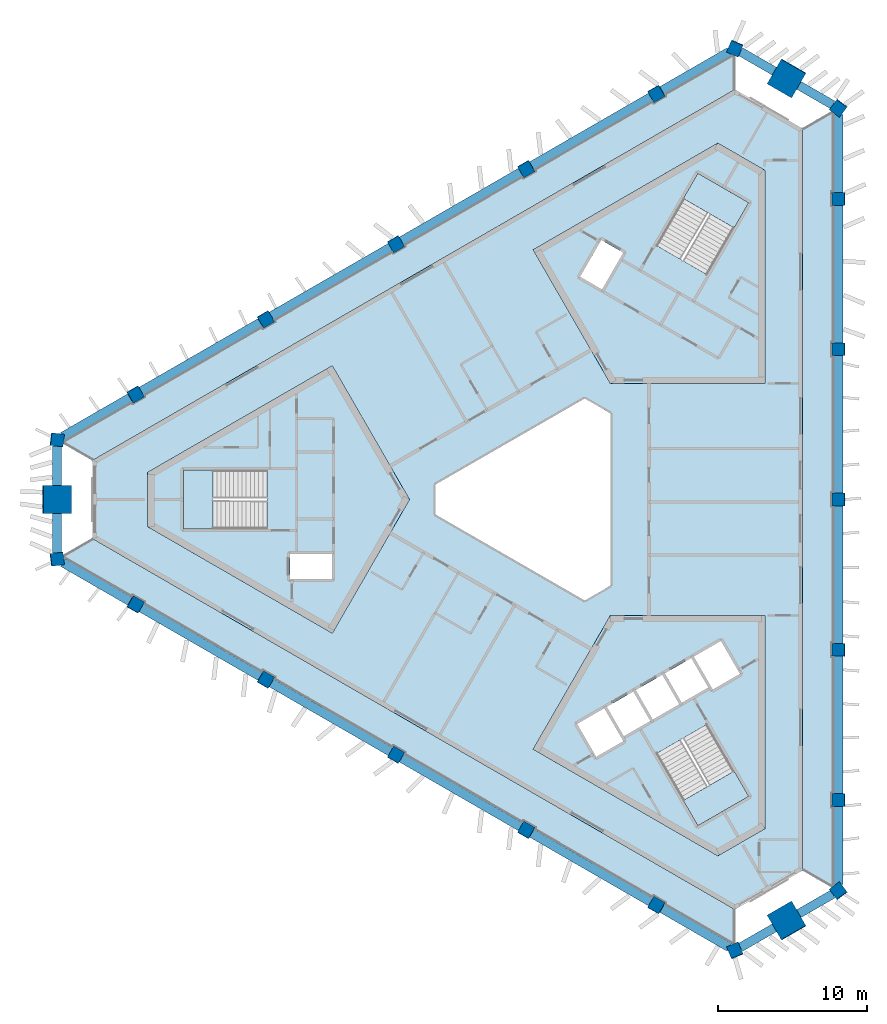
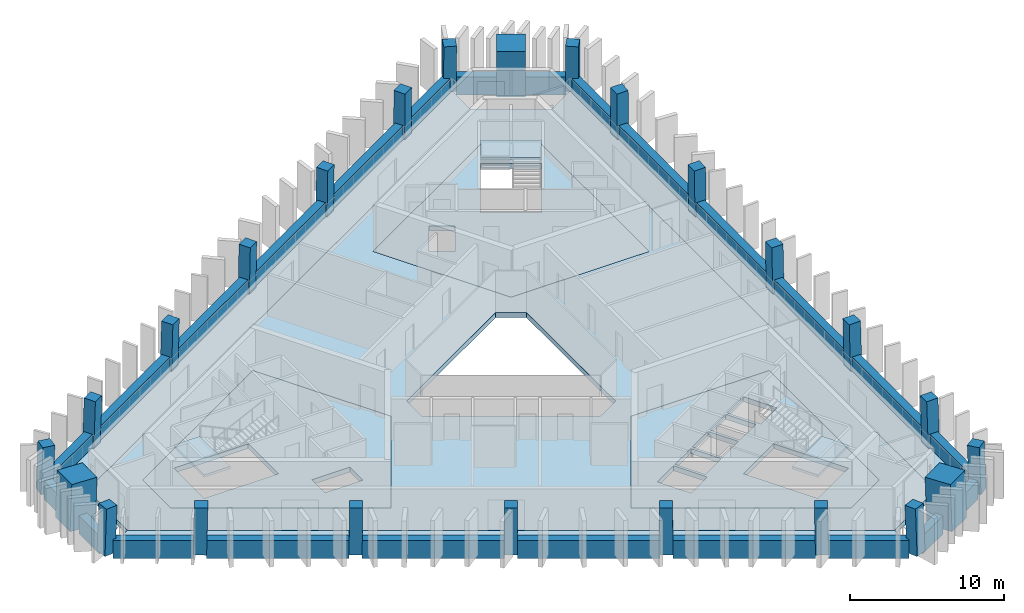
# One storey, part 1 of 9: 24 beams, 24 columns, 10 slabs, 3 elements without a shape of their own.
"""IFC4 building model written with IfcOpenShell, lengths in metres."""

from ifc_helpers import new_model, si_unit, direction, frame, origin, origin_2d, place, context, subcontext, project, spatial, polyline, rectangle, outline, extrude, material, layer, layer_set, material_profile, profile_set, type_object, element, aggregate, save


model = new_model("IFC4")

# Units and contexts
model_context = context("Model", 3, precision=1e-05, world=origin(), true_north=direction((0.0, 1.0)))
body_context = subcontext(model_context, "Body", "Model", "MODEL_VIEW")
ifc_project = project(units=[si_unit("LENGTHUNIT", "METRE"), si_unit("AREAUNIT", "SQUARE_METRE"), si_unit("VOLUMEUNIT", "CUBIC_METRE"), si_unit("PLANEANGLEUNIT", "RADIAN"), si_unit("MASSUNIT", "GRAM", prefix="KILO")], contexts=[model_context])

# Site, building, storey
site_placement = place(None, origin())
site = spatial("IfcSite", under=ifc_project, at=site_placement, CompositionType="ELEMENT")
building_placement = place(site_placement, origin())
building = spatial("IfcBuilding", under=site, at=building_placement, Name="Jabali Bay Hotel Tower and Convention Centre", CompositionType="ELEMENT")
storey_placement = place(building_placement, frame((0.0, 0.0, 239.10009765625)))
storey = spatial("IfcBuildingStorey", under=building, at=storey_placement, Name="L59", CompositionType="ELEMENT", Elevation=239.10009765625)

# Columns
ifc_material_1 = material(Name="Concrete C60", Category="concrete")
ifc_material_profile_1 = material_profile(ifc_material_1, rectangle(XDim=0.85009765625, YDim=0.85009765625, at=origin_2d()), Name="Frame column 850")
ifc_profile_set_1 = profile_set([ifc_material_profile_1], Name="Concrete C60")
column_type_1 = type_object("IfcColumnType", Name="Frame column 850", PredefinedType="COLUMN", material=ifc_profile_set_1)
column_1_placement = place(storey_placement, frame((82.596923828125, 107.281982421875, 0.0), z_axis=(-0.00837646992, -0.028097450282, 0.999570091609), x_axis=(0.866174253108, 0.499288249334, 0.021293363534)))
element("IfcColumn", 1, at=column_1_placement, inside=storey, type_object=column_type_1, Name="FC5 F1.1 L59", PredefinedType="COLUMN", context=body_context, shape_type="SweptSolid", body=[
    extrude(rectangle(XDim=0.85009765625, YDim=0.85009765625, at=origin_2d()), origin(), (0.0, 0.0, 1.0), 3.70166015625),
])
column_2_placement = place(storey_placement, frame((73.84130859375, 102.22705078125, 0.0), z_axis=(0.000857578916, -0.022824792675, 0.999739112668), x_axis=(0.866060219769, 0.499825848733, 0.01066848966)))
element("IfcColumn", 2, at=column_2_placement, inside=storey, type_object=column_type_1, Name="FC5 F1.2 L59", PredefinedType="COLUMN", context=body_context, shape_type="SweptSolid", body=[
    extrude(rectangle(XDim=0.85009765625, YDim=0.85009765625, at=origin_2d()), origin(), (0.0, 0.0, 1.0), 3.700927734375),
])
column_3_placement = place(storey_placement, frame((65.085693359375, 97.171875, 0.0), z_axis=(0.010093620709, -0.017482414954, 0.999796221231), x_axis=(-0.499902890187, 0.86584616669, 0.020187025825)))
element("IfcColumn", 3, at=column_3_placement, inside=storey, type_object=column_type_1, Name="FC5 F1.3 L59", PredefinedType="COLUMN", context=body_context, shape_type="SweptSolid", body=[
    extrude(rectangle(XDim=0.85009765625, YDim=0.85009765625, at=origin_2d()), origin(), (0.0, 0.0, 1.0), 3.70068359375),
])
column_4_placement = place(storey_placement, frame((56.330078125, 92.116943359375, 0.0), z_axis=(0.019328516974, -0.012138044789, 0.999739504221), x_axis=(-0.500200160538, 0.865674608258, 0.020180981521)))
element("IfcColumn", 4, at=column_4_placement, inside=storey, type_object=column_type_1, Name="FC5 F1.4 L59", PredefinedType="COLUMN", context=body_context, shape_type="SweptSolid", body=[
    extrude(rectangle(XDim=0.85009765625, YDim=0.85009765625, at=origin_2d()), origin(), (0.0, 0.0, 1.0), 3.700927734375),
])
for number, where, z_axis, x_axis, name in (
    (5, (47.57470703125, 87.06201171875, 0.0), (0.028559101991, -0.006859460986, 0.999568569678), (-0.498513358127, 0.866646856607, 0.020190534949), "FC5 F1.5 L59"),
    (6, (47.57470703125, 72.93798828125, 0.0), (0.028559101991, 0.006859460986, 0.999568569678), (-0.866411455062, 0.498874907895, 0.021331123037), "FC5 F2.1 L59"),
):
    element("IfcColumn", number, at=place(storey_placement, frame(where, z_axis=z_axis, x_axis=x_axis)), inside=storey, type_object=column_type_1, Name=name, PredefinedType="COLUMN", context=body_context, shape_type="SweptSolid", body=[
        extrude(rectangle(XDim=0.85009765625, YDim=0.85009765625, at=origin_2d()), origin(), (0.0, 0.0, 1.0), 3.70166015625),
    ])
column_5_placement = place(storey_placement, frame((56.330078125, 67.883056640625, 0.0), z_axis=(0.019328516974, 0.012138044789, 0.999739504221), x_axis=(-0.865694061334, 0.500459928951, 0.010660754407)))
element("IfcColumn", 7, at=column_5_placement, inside=storey, type_object=column_type_1, Name="FC5 F2.2 L59", PredefinedType="COLUMN", context=body_context, shape_type="SweptSolid", body=[
    extrude(rectangle(XDim=0.85009765625, YDim=0.85009765625, at=origin_2d()), origin(), (0.0, 0.0, 1.0), 3.700927734375),
])
column_6_placement = place(storey_placement, frame((65.085693359375, 62.828125, 0.0), z_axis=(0.010093620709, 0.017482414954, 0.999796221231), x_axis=(-0.866022643586, 0.500004780773, 1.3036e-08)))
element("IfcColumn", 8, at=column_6_placement, inside=storey, type_object=column_type_1, Name="FC5 F2.3 L59", PredefinedType="COLUMN", context=body_context, shape_type="SweptSolid", body=[
    extrude(rectangle(XDim=0.85009765625, YDim=0.85009765625, at=origin_2d()), origin(), (0.0, 0.0, 1.0), 3.70068359375),
])
column_7_placement = place(storey_placement, frame((73.84130859375, 57.77294921875, 0.0), z_axis=(0.000857578916, 0.022824792675, 0.999739112668), x_axis=(-0.499938956565, -0.865825126557, 0.020196285069)))
element("IfcColumn", 9, at=column_7_placement, inside=storey, type_object=column_type_1, Name="FC5 F2.4 L59", PredefinedType="COLUMN", context=body_context, shape_type="SweptSolid", body=[
    extrude(rectangle(XDim=0.85009765625, YDim=0.85009765625, at=origin_2d()), origin(), (0.0, 0.0, 1.0), 3.700927734375),
])
for number, where, z_axis, x_axis, name in (
    (10, (82.596923828125, 52.718017578125, 0.0), (-0.00837646992, 0.028097450282, 0.999570091609), (-0.499671890349, -0.865980240747, 0.02015501501), "FC5 F2.5 L59"),
    (11, (94.82861328125, 59.77978515625, 0.0), (-0.020182631348, 0.021369844956, 0.999567902205), (-0.001315292007, -0.999771248084, 0.021347634776), "FC5 F0.1 L59"),
):
    element("IfcColumn", number, at=place(storey_placement, frame(where, z_axis=z_axis, x_axis=x_axis)), inside=storey, type_object=column_type_1, Name=name, PredefinedType="COLUMN", context=body_context, shape_type="SweptSolid", body=[
        extrude(rectangle(XDim=0.85009765625, YDim=0.85009765625, at=origin_2d()), origin(), (0.0, 0.0, 1.0), 3.70166015625),
    ])
column_8_placement = place(storey_placement, frame((94.82861328125, 69.889892578125, 0.0), z_axis=(-0.020186088539, 0.010686752756, 0.999739123544), x_axis=(-0.001012906877, -0.999942577175, 0.010668475618)))
element("IfcColumn", 12, at=column_8_placement, inside=storey, type_object=column_type_1, Name="FC5 F0.2 L59", PredefinedType="COLUMN", context=body_context, shape_type="SweptSolid", body=[
    extrude(rectangle(XDim=0.85009765625, YDim=0.85009765625, at=origin_2d()), origin(), (0.0, 0.0, 1.0), 3.700927734375),
])
column_9_placement = place(storey_placement, frame((94.82861328125, 80.0, 0.0), z_axis=(-0.020187241331, 0.0, 0.99979621688), x_axis=(0.0, -1.0, 0.0)))
element("IfcColumn", 13, at=column_9_placement, inside=storey, type_object=column_type_1, Name="FC5 F0.3 L59", PredefinedType="COLUMN", context=body_context, shape_type="SweptSolid", body=[
    extrude(rectangle(XDim=0.85009765625, YDim=0.85009765625, at=origin_2d()), origin(), (0.0, 0.0, 1.0), 3.70068359375),
])
column_10_placement = place(storey_placement, frame((94.82861328125, 90.110107421875, 0.0), z_axis=(-0.020186088539, -0.010686752756, 0.999739123544), x_axis=(0.999795727061, 0.00079728784, 0.020195754082)))
element("IfcColumn", 14, at=column_10_placement, inside=storey, type_object=column_type_1, Name="FC5 F0.4 L59", PredefinedType="COLUMN", context=body_context, shape_type="SweptSolid", body=[
    extrude(rectangle(XDim=0.85009765625, YDim=0.85009765625, at=origin_2d()), origin(), (0.0, 0.0, 1.0), 3.700927734375),
])
column_11_placement = place(storey_placement, frame((94.82861328125, 100.22021484375, 0.0), z_axis=(-0.020182631348, -0.021369844956, 0.999567902205), x_axis=(0.999795444778, 0.000883872229, 0.020206122118)))
element("IfcColumn", 15, at=column_11_placement, inside=storey, type_object=column_type_1, Name="FC5 F0.5 L59", PredefinedType="COLUMN", context=body_context, shape_type="SweptSolid", body=[
    extrude(rectangle(XDim=0.85009765625, YDim=0.85009765625, at=origin_2d()), origin(), (0.0, 0.0, 1.0), 3.70166015625),
])
for number, where, z_axis, x_axis, name in (
    (16, (94.82861328125, 53.68359375, 0.0), (-0.020178741915, 0.029015184452, 0.999375273581), (-0.798779038798, -0.601623017432, 0.001338683062), "FC5 V0 L59"),
    (17, (94.82861328125, 106.31640625, 0.0), (-0.020178741915, -0.029015184452, 0.999375273581), (0.601286009775, 0.79825300749, 0.035316716746), "FC5 V1 L59"),
    (18, (87.87646484375, 110.330322265625, 0.0), (-0.015035141917, -0.031982648376, 0.99937533225), (0.920441673063, -0.39087764696, 0.001338504961), "FC5 V2 L59"),
    (19, (42.294921875, 84.013671875, 0.0), (0.03521388716, -0.002967462401, 0.999375393092), (-0.991950100653, 0.121605781453, 0.035313336451), "FC5 V3 L59"),
    (20, (42.294921875, 75.986328125, 0.0), (0.03521388716, 0.002967462401, 0.999375393092), (-0.12163461664, 0.992574041613, 0.001338637639), "FC5 V4 L59"),
    (21, (87.87646484375, 49.669677734375, 0.0), (-0.015035141917, 0.031982648376, 0.99937533225), (0.390590669367, -0.919886827447, 0.035315063275), "FC5 V5 L59"),
):
    element("IfcColumn", number, at=place(storey_placement, frame(where, z_axis=z_axis, x_axis=x_axis)), inside=storey, type_object=column_type_1, Name=name, PredefinedType="COLUMN", context=body_context, shape_type="SweptSolid", body=[
        extrude(rectangle(XDim=0.85009765625, YDim=0.85009765625, at=origin_2d()), origin(), (0.0, 0.0, 1.0), 3.7021484375),
    ])
ifc_material_2 = material(Name="Concrete C70", Category="concrete")
ifc_material_profile_2 = material_profile(ifc_material_2, rectangle(XDim=1.89990234375, YDim=1.89990234375, at=origin_2d()), Name="Mega column 1900")
ifc_profile_set_2 = profile_set([ifc_material_profile_2], Name="Concrete C70")
column_type_2 = type_object("IfcColumnType", Name="Mega column 1900", PredefinedType="COLUMN", material=ifc_profile_set_2)
for number, where, z_axis, x_axis, name in (
    (22, (91.3525390625, 108.3232421875, 0.0), (-0.017607037296, -0.030466109479, 0.999380712447), (0.500064653071, 0.865272876704, 0.035187946645), "MC5 M1 L59"),
    (23, (42.294921875, 80.0, 0.0), (0.035214042205, 0.0, 0.999379793288), (0.0, 1.0, 0.0), "MC5 M0 L59"),
    (24, (91.3525390625, 51.6767578125, 0.0), (-0.017607037296, 0.030466109479, 0.999380712447), (-0.865809063816, -0.500374524745, 1.32655e-07), "MC5 M2 L59"),
):
    element("IfcColumn", number, at=place(storey_placement, frame(where, z_axis=z_axis, x_axis=x_axis)), inside=storey, type_object=column_type_2, Name=name, PredefinedType="COLUMN", context=body_context, shape_type="SweptSolid", body=[
        extrude(rectangle(XDim=1.89990234375, YDim=1.89990234375, at=origin_2d()), origin(), (0.0, 0.0, 1.0), 3.7021484375),
    ])

# Beams
ifc_material_profile_3 = material_profile(ifc_material_1, rectangle(XDim=0.60009765625, YDim=1.449951171875, at=origin_2d()), Name="Spandrel 600x1450")
ifc_profile_set_3 = profile_set([ifc_material_profile_3], Name="Concrete C60")
beam_type = type_object("IfcBeamType", Name="Spandrel 600x1450", PredefinedType="SPANDREL", material=ifc_profile_set_3)
beam_1_placement = place(storey_placement, frame((90.523193359375, 108.786865234375, 0.375), z_axis=(-0.866036082975, 0.499981502643, 0.0), x_axis=(-0.499981502643, -0.866036082975, 0.0)))
element("IfcBeam", 25, at=beam_1_placement, inside=storey, type_object=beam_type, Name="Spandrel M1-V2 L59", PredefinedType="SPANDREL", context=body_context, shape_type="SweptSolid", body=[
    extrude(rectangle(XDim=0.60009765625, YDim=1.449951171875, at=origin_2d()), origin(), (0.0, 0.0, 1.0), 2.6376953125),
])
beam_2_placement = place(storey_placement, frame((87.502685546875, 110.105712890625, 0.375), z_axis=(-0.866008016721, -0.500030114069, 0.0), x_axis=(0.500030114069, -0.866008016721, 0.0)))
element("IfcBeam", 26, at=beam_2_placement, inside=storey, type_object=beam_type, Name="Spandrel V2-F1.1 L59", PredefinedType="SPANDREL", context=body_context, shape_type="SweptSolid", body=[
    extrude(rectangle(XDim=0.60009765625, YDim=1.449951171875, at=origin_2d()), origin(), (0.0, 0.0, 1.0), 5.243408203125),
])
for number, where, z_axis, x_axis, name in (
    (27, (82.2255859375, 107.05908203125, 0.375), (-0.866015597151, -0.500016985203, 0.0), (0.500016985203, -0.866015597151, 0.0), "Spandrel F1.1-F1.2 L59"),
    (28, (73.4736328125, 102.005859375, 0.375), (-0.866033612522, -0.49998578178, 0.0), (0.49998578178, -0.866033612522, 0.0), "Spandrel F1.2-F1.3 L59"),
):
    element("IfcBeam", number, at=place(storey_placement, frame(where, z_axis=z_axis, x_axis=x_axis)), inside=storey, type_object=beam_type, Name=name, PredefinedType="SPANDREL", context=body_context, shape_type="SweptSolid", body=[
        extrude(rectangle(XDim=0.60009765625, YDim=1.449951171875, at=origin_2d()), origin(), (0.0, 0.0, 1.0), 9.256103515625),
    ])
beam_3_placement = place(storey_placement, frame((64.721435546875, 96.952880859375, 0.375), z_axis=(-0.86602701864, -0.499997202977, 0.0), x_axis=(0.499997202977, -0.86602701864, 0.0)))
element("IfcBeam", 29, at=beam_3_placement, inside=storey, type_object=beam_type, Name="Spandrel F1.3-F1.4 L59", PredefinedType="SPANDREL", context=body_context, shape_type="SweptSolid", body=[
    extrude(rectangle(XDim=0.60009765625, YDim=1.449951171875, at=origin_2d()), origin(), (0.0, 0.0, 1.0), 9.255859375),
])
beam_4_placement = place(storey_placement, frame((55.969482421875, 91.89990234375, 0.375), z_axis=(-0.866033612522, -0.49998578178, 0.0), x_axis=(0.49998578178, -0.866033612522, 0.0)))
element("IfcBeam", 30, at=beam_4_placement, inside=storey, type_object=beam_type, Name="Spandrel F1.4-F1.5 L59", PredefinedType="SPANDREL", context=body_context, shape_type="SweptSolid", body=[
    extrude(rectangle(XDim=0.60009765625, YDim=1.449951171875, at=origin_2d()), origin(), (0.0, 0.0, 1.0), 9.256103515625),
])
beam_5_placement = place(storey_placement, frame((47.21728515625, 86.846923828125, 0.375), z_axis=(-0.866019657937, -0.500009951967, 0.0), x_axis=(0.500009951967, -0.866019657937, 0.0)))
element("IfcBeam", 31, at=beam_5_placement, inside=storey, type_object=beam_type, Name="Spandrel F1.5-V3 L59", PredefinedType="SPANDREL", context=body_context, shape_type="SweptSolid", body=[
    extrude(rectangle(XDim=0.60009765625, YDim=1.449951171875, at=origin_2d()), origin(), (0.0, 0.0, 1.0), 5.24365234375),
])
for number, where, z_axis, x_axis, name in (
    (32, (42.308349609375, 83.587646484375, 0.375), (0.0, -1.0, 0.0), (1.0, 0.0, 0.0), "Spandrel V3-M0 L59"),
    (33, (42.308349609375, 79.050048828125, 0.375), (0.0, -1.0, 0.0), (1.0, 0.0, 0.0), "Spandrel M0-V4 L59"),
):
    element("IfcBeam", number, at=place(storey_placement, frame(where, z_axis=z_axis, x_axis=x_axis)), inside=storey, type_object=beam_type, Name=name, PredefinedType="SPANDREL", context=body_context, shape_type="SweptSolid", body=[
        extrude(rectangle(XDim=0.60009765625, YDim=1.449951171875, at=origin_2d()), origin(), (0.0, 0.0, 1.0), 2.6376953125),
    ])
beam_6_placement = place(storey_placement, frame((42.67626953125, 75.77490234375, 0.375), z_axis=(0.866019657937, -0.500009951967, 0.0), x_axis=(0.500009951967, 0.866019657937, 0.0)))
element("IfcBeam", 34, at=beam_6_placement, inside=storey, type_object=beam_type, Name="Spandrel V4-F2.1 L59", PredefinedType="SPANDREL", context=body_context, shape_type="SweptSolid", body=[
    extrude(rectangle(XDim=0.60009765625, YDim=1.449951171875, at=origin_2d()), origin(), (0.0, 0.0, 1.0), 5.24365234375),
])
beam_7_placement = place(storey_placement, frame((47.953369140625, 72.72802734375, 0.375), z_axis=(0.866033612522, -0.49998578178, 0.0), x_axis=(0.49998578178, 0.866033612522, 0.0)))
element("IfcBeam", 35, at=beam_7_placement, inside=storey, type_object=beam_type, Name="Spandrel F2.1-F2.2 L59", PredefinedType="SPANDREL", context=body_context, shape_type="SweptSolid", body=[
    extrude(rectangle(XDim=0.60009765625, YDim=1.449951171875, at=origin_2d()), origin(), (0.0, 0.0, 1.0), 9.256103515625),
])
beam_8_placement = place(storey_placement, frame((56.70556640625, 67.675048828125, 0.375), z_axis=(0.86602701864, -0.499997202977, 0.0), x_axis=(0.499997202977, 0.86602701864, 0.0)))
element("IfcBeam", 36, at=beam_8_placement, inside=storey, type_object=beam_type, Name="Spandrel F2.2-F2.3 L59", PredefinedType="SPANDREL", context=body_context, shape_type="SweptSolid", body=[
    extrude(rectangle(XDim=0.60009765625, YDim=1.449951171875, at=origin_2d()), origin(), (0.0, 0.0, 1.0), 9.255859375),
])
for number, where, z_axis, x_axis, name in (
    (37, (65.45751953125, 62.6220703125, 0.375), (0.866033612522, -0.49998578178, 0.0), (0.49998578178, 0.866033612522, 0.0), "Spandrel F2.3-F2.4 L59"),
    (38, (74.209716796875, 57.569091796875, 0.375), (0.866015597151, -0.500016985203, 0.0), (0.500016985203, 0.866015597151, 0.0), "Spandrel F2.4-F2.5 L59"),
):
    element("IfcBeam", number, at=place(storey_placement, frame(where, z_axis=z_axis, x_axis=x_axis)), inside=storey, type_object=beam_type, Name=name, PredefinedType="SPANDREL", context=body_context, shape_type="SweptSolid", body=[
        extrude(rectangle(XDim=0.60009765625, YDim=1.449951171875, at=origin_2d()), origin(), (0.0, 0.0, 1.0), 9.256103515625),
    ])
beam_9_placement = place(storey_placement, frame((82.9619140625, 52.51611328125, 0.375), z_axis=(0.866008016721, -0.500030114069, 0.0), x_axis=(0.500030114069, 0.866008016721, 0.0)))
element("IfcBeam", 39, at=beam_9_placement, inside=storey, type_object=beam_type, Name="Spandrel F2.5-V5 L59", PredefinedType="SPANDREL", context=body_context, shape_type="SweptSolid", body=[
    extrude(rectangle(XDim=0.60009765625, YDim=1.449951171875, at=origin_2d()), origin(), (0.0, 0.0, 1.0), 5.243408203125),
])
for number, where, z_axis, x_axis, name in (
    (40, (88.23876953125, 49.894287109375, 0.375), (0.866036082975, 0.499981502643, 0.0), (-0.499981502643, 0.866036082975, 0.0), "Spandrel V5-M2 L59"),
    (41, (92.168701171875, 52.1630859375, 0.375), (0.866012943183, 0.500021581774, 0.0), (-0.500021581774, 0.866012943183, 0.0), "Spandrel M2-V0 L59"),
):
    element("IfcBeam", number, at=place(storey_placement, frame(where, z_axis=z_axis, x_axis=x_axis)), inside=storey, type_object=beam_type, Name=name, PredefinedType="SPANDREL", context=body_context, shape_type="SweptSolid", body=[
        extrude(rectangle(XDim=0.60009765625, YDim=1.449951171875, at=origin_2d()), origin(), (0.0, 0.0, 1.0), 2.6376953125),
    ])
beam_10_placement = place(storey_placement, frame((94.82080078125, 54.119384765625, 0.375), z_axis=(0.0, 1.0, 0.0), x_axis=(-1.0, 0.0, 0.0)))
element("IfcBeam", 42, at=beam_10_placement, inside=storey, type_object=beam_type, Name="Spandrel V0-F0.1 L59", PredefinedType="SPANDREL", context=body_context, shape_type="SweptSolid", body=[
    extrude(rectangle(XDim=0.60009765625, YDim=1.449951171875, at=origin_2d()), origin(), (0.0, 0.0, 1.0), 5.243408203125),
])
for number, where, z_axis, x_axis, name in (
    (43, (94.82080078125, 60.212890625, 0.375), (0.0, 1.0, 0.0), (-1.0, 0.0, 0.0), "Spandrel F0.1-F0.2 L59"),
    (44, (94.82080078125, 70.31884765625, 0.375), (0.0, 1.0, 0.0), (-1.0, 0.0, 0.0), "Spandrel F0.2-F0.3 L59"),
    (45, (94.82080078125, 80.425048828125, 0.375), (0.0, 1.0, 0.0), (-1.0, 0.0, 0.0), "Spandrel F0.3-F0.4 L59"),
    (46, (94.82080078125, 90.531005859375, 0.375), (0.0, 1.0, 0.0), (-1.0, 0.0, 0.0), "Spandrel F0.4-F0.5 L59"),
):
    element("IfcBeam", number, at=place(storey_placement, frame(where, z_axis=z_axis, x_axis=x_axis)), inside=storey, type_object=beam_type, Name=name, PredefinedType="SPANDREL", context=body_context, shape_type="SweptSolid", body=[
        extrude(rectangle(XDim=0.60009765625, YDim=1.449951171875, at=origin_2d()), origin(), (0.0, 0.0, 1.0), 9.256103515625),
    ])
beam_11_placement = place(storey_placement, frame((94.82080078125, 100.63720703125, 0.375), z_axis=(0.0, 1.0, 0.0), x_axis=(-1.0, 0.0, 0.0)))
element("IfcBeam", 47, at=beam_11_placement, inside=storey, type_object=beam_type, Name="Spandrel F0.5-V1 L59", PredefinedType="SPANDREL", context=body_context, shape_type="SweptSolid", body=[
    extrude(rectangle(XDim=0.60009765625, YDim=1.449951171875, at=origin_2d()), origin(), (0.0, 0.0, 1.0), 5.243408203125),
])
beam_12_placement = place(storey_placement, frame((94.452880859375, 106.51806640625, 0.375), z_axis=(-0.866012943183, 0.500021581774, 0.0), x_axis=(-0.500021581774, -0.866012943183, 0.0)))
element("IfcBeam", 48, at=beam_12_placement, inside=storey, type_object=beam_type, Name="Spandrel V1-M1 L59", PredefinedType="SPANDREL", context=body_context, shape_type="SweptSolid", body=[
    extrude(rectangle(XDim=0.60009765625, YDim=1.449951171875, at=origin_2d()), origin(), (0.0, 0.0, 1.0), 2.6376953125),
])

# Slabs
ifc_material_3 = material(Name="Concrete C40", Category="concrete")
ifc_layer_1 = layer(ifc_material_3, 0.39990234375)
ifc_layer_set_1 = layer_set([ifc_layer_1], Name="Concrete C40")
slab_type_1 = type_object("IfcSlabType", Name="Core floor slab 400", PredefinedType="FLOOR", material=ifc_layer_set_1)
slab_1_placement = place(storey_placement, frame((0.0, 0.0, -0.400146484375)))
element("IfcSlab", 49, at=slab_1_placement, inside=storey, type_object=slab_type_1, Name="Core floor slab 1 L59", PredefinedType="FLOOR", context=body_context, shape_type="SweptSolid", body=[
    extrude(outline(polyline([(66.0, 80.0), (60.81005859375, 88.9892578125), (48.39697265625, 81.82275390625), (48.39697265625, 78.17724609375), (60.81005859375, 71.0107421875), (66.0, 80.0)]), holes=[polyline([(60.800048828125, 76.35009765625), (57.949951171875, 76.35009765625), (57.949951171875, 74.64990234375), (60.800048828125, 74.64990234375), (60.800048828125, 76.35009765625)]), polyline([(50.820068359375, 81.97509765625), (50.820068359375, 78.02490234375), (56.409912109375, 78.02490234375), (56.409912109375, 81.97509765625), (50.820068359375, 81.97509765625)])]), origin(), (0.0, 0.0, 1.0), 0.400146484375),
])
slab_2_placement = place(storey_placement, frame((0.0, 0.0, -0.400146484375)))
element("IfcSlab", 50, at=slab_2_placement, inside=storey, type_object=slab_type_1, Name="Core floor slab 2 L59", PredefinedType="FLOOR", context=body_context, shape_type="SweptSolid", body=[
    extrude(outline(polyline([(79.5, 87.794189453125), (89.8798828125, 87.794189453125), (89.8798828125, 102.127685546875), (86.72314453125, 103.9501953125), (74.31005859375, 96.78369140625), (79.5, 87.794189453125)]), holes=[polyline([(78.93896484375, 94.12255859375), (80.364013671875, 96.5908203125), (78.891845703125, 97.440673828125), (77.466796875, 94.97265625), (78.93896484375, 94.12255859375)]), polyline([(88.80029296875, 99.952880859375), (85.379638671875, 101.927978515625), (82.584716796875, 97.0869140625), (86.00537109375, 95.11181640625), (88.80029296875, 99.952880859375)])]), origin(), (0.0, 0.0, 1.0), 0.400146484375),
])
slab_3_placement = place(storey_placement, frame((0.0, 0.0, -0.400146484375)))
element("IfcSlab", 51, at=slab_3_placement, inside=storey, type_object=slab_type_1, Name="Core floor slab 3 L59", PredefinedType="FLOOR", context=body_context, shape_type="SweptSolid", body=[
    extrude(outline(polyline([(79.5, 72.205810546875), (74.31005859375, 63.21630859375), (86.72314453125, 56.0498046875), (89.8798828125, 57.872314453125), (89.8798828125, 72.205810546875), (79.5, 72.205810546875)]), holes=[polyline([(82.584716796875, 62.9130859375), (85.379638671875, 58.072021484375), (88.80029296875, 60.047119140625), (86.00537109375, 64.88818359375), (82.584716796875, 62.9130859375)]), polyline([(80.365478515625, 63.756591796875), (79.090576171875, 65.96484375), (77.27197265625, 64.9150390625), (78.546875, 62.70654296875), (80.365478515625, 63.756591796875)]), polyline([(82.17919921875, 65.115478515625), (81.0390625, 67.08984375), (79.263671875, 66.06494140625), (80.40380859375, 64.09033203125), (82.17919921875, 65.115478515625)]), polyline([(82.98779296875, 68.21484375), (81.21240234375, 67.18994140625), (82.352294921875, 65.21533203125), (84.127685546875, 66.240478515625), (82.98779296875, 68.21484375)]), polyline([(86.076171875, 67.365478515625), (84.936279296875, 69.33984375), (83.160888671875, 68.31494140625), (84.30078125, 66.34033203125), (86.076171875, 67.365478515625)]), polyline([(88.203125, 68.281494140625), (86.927978515625, 70.489990234375), (85.109375, 69.43994140625), (86.384521484375, 67.231689453125), (88.203125, 68.281494140625)])]), origin(), (0.0, 0.0, 1.0), 0.400146484375),
])
ifc_layer_2 = layer(ifc_material_3, 0.199951171875)
ifc_layer_set_2 = layer_set([ifc_layer_2], Name="Concrete C40")
slab_type_2 = type_object("IfcSlabType", Name="Loggia slab 200", PredefinedType="FLOOR", material=ifc_layer_set_2)
slab_4_placement = place(storey_placement, frame((0.0, 0.0, -0.2001953125)))
element("IfcSlab", 52, at=slab_4_placement, inside=storey, type_object=slab_type_2, Name="Loggia slab east face L59", PredefinedType="FLOOR", context=body_context, shape_type="SweptSolid", body=[
    extrude(outline(polyline([(92.428466796875, 104.930908203125), (94.4287109375, 106.085693359375), (94.528564453125, 106.01025390625), (94.528564453125, 100.64501953125), (94.403564453125, 100.64501953125), (94.403564453125, 99.795166015625), (94.528564453125, 99.795166015625), (94.528564453125, 90.53515625), (94.403564453125, 90.53515625), (94.403564453125, 89.68505859375), (94.528564453125, 89.68505859375), (94.528564453125, 80.425048828125), (94.403564453125, 80.425048828125), (94.403564453125, 79.574951171875), (94.528564453125, 79.574951171875), (94.528564453125, 70.31494140625), (94.403564453125, 70.31494140625), (94.403564453125, 69.46484375), (94.528564453125, 69.46484375), (94.528564453125, 60.204833984375), (94.403564453125, 60.204833984375), (94.403564453125, 59.35498046875), (94.528564453125, 59.35498046875), (94.528564453125, 53.98974609375), (94.4287109375, 53.914306640625), (92.428466796875, 55.069091796875), (92.428466796875, 104.930908203125)])), origin(), (0.0, 0.0, 1.0), 0.2001953125),
])
slab_5_placement = place(storey_placement, frame((0.0, 0.0, -0.2001953125)))
element("IfcSlab", 53, at=slab_5_placement, inside=storey, type_object=slab_type_2, Name="Loggia slab north-west face L59", PredefinedType="FLOOR", context=body_context, shape_type="SweptSolid", body=[
    extrude(outline(polyline([(44.695068359375, 82.628173828125), (42.69482421875, 83.782958984375), (42.710205078125, 83.906982421875), (47.3564453125, 86.589599609375), (47.4189453125, 86.4814453125), (48.1552734375, 86.90625), (48.0927734375, 87.0146484375), (56.112060546875, 91.64453125), (56.174560546875, 91.536376953125), (56.91064453125, 91.96142578125), (56.84814453125, 92.069580078125), (64.86767578125, 96.69970703125), (64.93017578125, 96.59130859375), (65.666259765625, 97.016357421875), (65.603759765625, 97.124755859375), (73.623291015625, 101.754638671875), (73.685791015625, 101.646484375), (74.421875, 102.071533203125), (74.359375, 102.1796875), (82.37890625, 106.809814453125), (82.44140625, 106.701416015625), (83.177490234375, 107.12646484375), (83.114990234375, 107.234619140625), (87.761474609375, 109.917236328125), (87.87646484375, 109.868408203125), (87.87646484375, 107.558837890625), (44.695068359375, 82.628173828125)])), origin(), (0.0, 0.0, 1.0), 0.2001953125),
])
slab_6_placement = place(storey_placement, frame((0.0, 0.0, -0.2001953125)))
element("IfcSlab", 54, at=slab_6_placement, inside=storey, type_object=slab_type_2, Name="Loggia slab south-west face L59", PredefinedType="FLOOR", context=body_context, shape_type="SweptSolid", body=[
    extrude(outline(polyline([(87.87646484375, 52.441162109375), (87.87646484375, 50.131591796875), (87.761474609375, 50.082763671875), (83.114990234375, 52.765380859375), (83.177490234375, 52.87353515625), (82.44140625, 53.298583984375), (82.37890625, 53.190185546875), (74.359375, 57.8203125), (74.421875, 57.928466796875), (73.685791015625, 58.353515625), (73.623291015625, 58.245361328125), (65.603759765625, 62.875244140625), (65.666259765625, 62.983642578125), (64.93017578125, 63.40869140625), (64.86767578125, 63.30029296875), (56.84814453125, 67.930419921875), (56.91064453125, 68.03857421875), (56.174560546875, 68.463623046875), (56.112060546875, 68.35546875), (48.0927734375, 72.9853515625), (48.1552734375, 73.09375), (47.4189453125, 73.5185546875), (47.3564453125, 73.410400390625), (42.710205078125, 76.093017578125), (42.69482421875, 76.217041015625), (44.695068359375, 77.371826171875), (87.87646484375, 52.441162109375)])), origin(), (0.0, 0.0, 1.0), 0.2001953125),
])
ifc_layer_3 = layer(ifc_material_3, 0.39990234375)
ifc_layer_set_3 = layer_set([ifc_layer_3], Name="Concrete C40")
slab_type_3 = type_object("IfcSlabType", Name="Post-tensioned flat slab 400", PredefinedType="FLOOR", material=ifc_layer_set_3)
slab_7_placement = place(storey_placement, frame((0.0, 0.0, -0.400146484375)))
element("IfcSlab", 55, at=slab_7_placement, inside=storey, type_object=slab_type_3, Name="Floor slab L59", PredefinedType="FLOOR", context=body_context, shape_type="SweptSolid", body=[
    extrude(outline(polyline([(87.87646484375, 107.558837890625), (92.428466796875, 104.930908203125), (92.428466796875, 55.069091796875), (87.87646484375, 52.441162109375), (44.695068359375, 77.371826171875), (44.695068359375, 82.628173828125), (87.87646484375, 107.558837890625)]), holes=[polyline([(67.73193359375, 79.0), (77.76806640625, 73.205810546875), (79.5, 74.205810546875), (79.5, 85.794189453125), (77.76806640625, 86.794189453125), (67.73193359375, 81.0), (67.73193359375, 79.0)]), polyline([(48.39697265625, 78.17724609375), (60.81005859375, 71.0107421875), (66.0, 80.0), (60.81005859375, 88.9892578125), (48.39697265625, 81.82275390625), (48.39697265625, 78.17724609375)]), polyline([(89.8798828125, 102.127685546875), (86.72314453125, 103.9501953125), (74.31005859375, 96.78369140625), (79.5, 87.794189453125), (89.8798828125, 87.794189453125), (89.8798828125, 102.127685546875)]), polyline([(74.31005859375, 63.21630859375), (86.72314453125, 56.0498046875), (89.8798828125, 57.872314453125), (89.8798828125, 72.205810546875), (79.5, 72.205810546875), (74.31005859375, 63.21630859375)])]), origin(), (0.0, 0.0, 1.0), 0.400146484375),
])

# Stair, slab
stair_type = type_object("IfcStairType", Name="Exit stair 1900", PredefinedType="HALF_TURN_STAIR", material=ifc_material_3)
stair_1_placement = place(storey_placement, origin())
stair_1 = element("IfcStair", 56, at=stair_1_placement, inside=storey, type_object=stair_type, Name="L59 Exit Stair 1", PredefinedType="HALF_TURN_STAIR")
ifc_layer_4 = layer(ifc_material_3, 0.199951171875)
ifc_layer_set_4 = layer_set([ifc_layer_4], Name="Concrete C40")
slab_type_4 = type_object("IfcSlabType", Name="Stair landing 200", PredefinedType="LANDING", material=ifc_layer_set_4)
slab_8_placement = place(storey_placement, frame((0.0, 0.0, 1.64990234375)))
slab_8 = element("IfcSlab", 57, at=slab_8_placement, type_object=slab_type_4, Name="ST1 landing 1", PredefinedType="LANDING", context=body_context, shape_type="SweptSolid", body=[
    extrude(outline(polyline([(52.782958984375, 81.97509765625), (50.820068359375, 81.97509765625), (50.820068359375, 78.02490234375), (52.782958984375, 78.02490234375), (52.782958984375, 81.97509765625)])), origin(), (0.0, 0.0, 1.0), 0.199951171875),
])
aggregate(stair_1, [slab_8])

stair_2_placement = place(storey_placement, origin())
stair_2 = element("IfcStair", 58, at=stair_2_placement, inside=storey, type_object=stair_type, Name="L59 Exit Stair 2", PredefinedType="HALF_TURN_STAIR")
slab_9_placement = place(storey_placement, frame((0.0, 0.0, 1.64990234375)))
slab_9 = element("IfcSlab", 59, at=slab_9_placement, type_object=slab_type_4, Name="ST2 landing 1", PredefinedType="LANDING", context=body_context, shape_type="SweptSolid", body=[
    extrude(outline(polyline([(87.81884765625, 98.2529296875), (88.80029296875, 99.952880859375), (85.379638671875, 101.927978515625), (84.398193359375, 100.22802734375), (87.81884765625, 98.2529296875)])), origin(), (0.0, 0.0, 1.0), 0.199951171875),
])
aggregate(stair_2, [slab_9])

stair_3_placement = place(storey_placement, origin())
stair_3 = element("IfcStair", 60, at=stair_3_placement, inside=storey, type_object=stair_type, Name="L59 Exit Stair 3", PredefinedType="HALF_TURN_STAIR")
slab_10_placement = place(storey_placement, frame((0.0, 0.0, 1.64990234375)))
slab_10 = element("IfcSlab", 61, at=slab_10_placement, type_object=slab_type_4, Name="ST3 landing 1", PredefinedType="LANDING", context=body_context, shape_type="SweptSolid", body=[
    extrude(outline(polyline([(84.398193359375, 59.77197265625), (85.379638671875, 58.072021484375), (88.80029296875, 60.047119140625), (87.81884765625, 61.7470703125), (84.398193359375, 59.77197265625)])), origin(), (0.0, 0.0, 1.0), 0.199951171875),
])
aggregate(stair_3, [slab_10])

save(model, "model.ifc")
